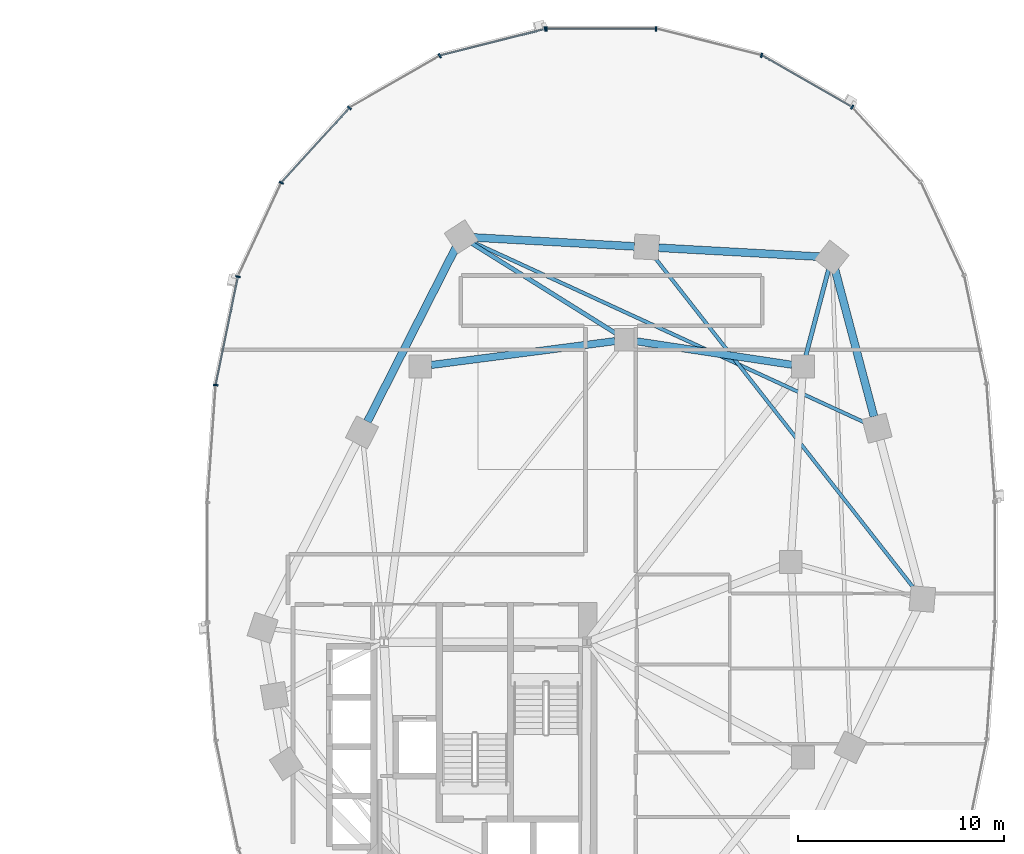
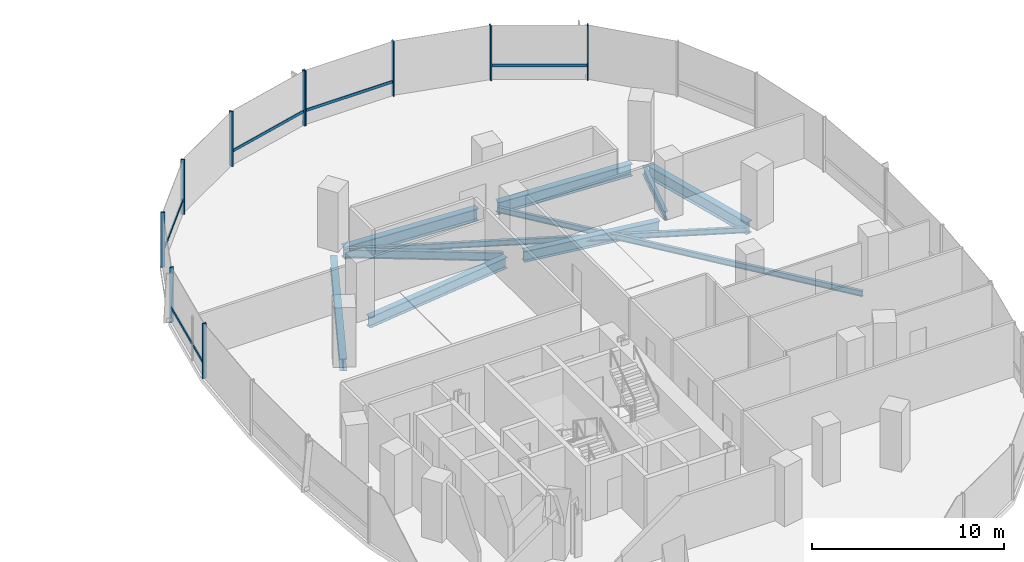
# One storey, part 7 of 21: 15 members, 10 beams, 2 elements without a shape of their own.
"""IFC4 building model written with IfcOpenShell, lengths in metres."""

from ifc_helpers import new_model, si_unit, direction, frame, origin, origin_2d, place, context, subcontext, project, spatial, rectangle, i_section, extrude, material, material_profile, profile_set, type_object, element, aggregate, save


model = new_model("IFC4")

# Units and contexts
model_context = context("Model", 3, precision=1e-05, world=origin(), true_north=direction((0.0, 1.0)))
body_context = subcontext(model_context, "Body", "Model", "MODEL_VIEW")
ifc_project = project(units=[si_unit("LENGTHUNIT", "METRE"), si_unit("AREAUNIT", "SQUARE_METRE"), si_unit("VOLUMEUNIT", "CUBIC_METRE"), si_unit("PLANEANGLEUNIT", "RADIAN"), si_unit("MASSUNIT", "GRAM", prefix="KILO"), si_unit("THERMODYNAMICTEMPERATUREUNIT", "KELVIN"), si_unit("POWERUNIT", "WATT")], contexts=[model_context])

# Site, building, storey
site_placement = place(None, origin())
site = spatial("IfcSite", under=ifc_project, at=site_placement, CompositionType="ELEMENT")
building_placement = place(site_placement, origin())
building = spatial("IfcBuilding", under=site, at=building_placement, Name="Cundina Bronze Exchange", CompositionType="ELEMENT")
storey_placement = place(building_placement, frame((0.0, 0.0, 46.800048828125)))
storey = spatial("IfcBuildingStorey", under=building, at=storey_placement, Name="L11", CompositionType="ELEMENT", Elevation=46.800048828125)

# Beams
ifc_material_1 = material(Name="Steel ASTM A992 Grade 50", Category="steel")
ifc_material_profile_1 = material_profile(ifc_material_1, i_section(OverallWidth=0.2099609375, OverallDepth=0.532958984375, WebThickness=0.01025390625, FlangeThickness=0.015625, FilletRadius=0.013916015625, at=origin_2d()), Name="W21X62", Category="steel")
ifc_profile_set_1 = profile_set([ifc_material_profile_1], Name="Steel ASTM A992 Grade 50")
beam_type_1 = type_object("IfcBeamType", Name="BM-FLR-W21B", PredefinedType="BEAM", material=ifc_profile_set_1)
beam_1_placement = place(storey_placement, frame((41.9375, 10.020263671875, -0.566650390625), z_axis=(0.255373327887, 0.966842522546, 0.0), x_axis=(-0.966842522546, 0.255373327887, 0.0)))
element("IfcBeam", 1, at=beam_1_placement, inside=storey, type_object=beam_type_1, Name="L11 Leg E Chordal Floor Beam 10", PredefinedType="BEAM", context=body_context, shape_type="SweptSolid", body=[
    extrude(i_section(OverallWidth=0.2099609375, OverallDepth=0.532958984375, WebThickness=0.01025390625, FlangeThickness=0.015625, FilletRadius=0.013916015625, at=origin_2d()), origin(), (0.0, 0.0, 1.0), 4.355712890625),
])
beam_2_placement = place(storey_placement, frame((32.743896484375, 11.085205078125, -0.566650390625), z_axis=(-0.848014812458, 0.529972525563, 0.0), x_axis=(-0.529972525563, -0.848014812458, 0.0)))
element("IfcBeam", 2, at=beam_2_placement, inside=storey, type_object=beam_type_1, Name="L11 Leg E Chordal Floor Beam 12", PredefinedType="BEAM", context=body_context, shape_type="SweptSolid", body=[
    extrude(i_section(OverallWidth=0.2099609375, OverallDepth=0.532958984375, WebThickness=0.01025390625, FlangeThickness=0.015625, FilletRadius=0.013916015625, at=origin_2d()), origin(), (0.0, 0.0, 1.0), 8.30810546875),
])
ifc_material_profile_2 = material_profile(ifc_material_1, i_section(OverallWidth=0.172119140625, OverallDepth=0.35791015625, WebThickness=0.0078125, FlangeThickness=0.01318359375, FilletRadius=0.010009765625, at=origin_2d()), Name="W14X38", Category="steel")
ifc_profile_set_2 = profile_set([ifc_material_profile_2], Name="Steel ASTM A992 Grade 50")
beam_type_2 = type_object("IfcBeamType", Name="BM-JST-W14", PredefinedType="JOIST", material=ifc_profile_set_2)
beam_3_placement = place(storey_placement, frame((47.2373046875, -1.337158203125, -0.47900390625), z_axis=(-0.616803089524, 0.787117493614, 0.0), x_axis=(-0.787117493614, -0.616803089524, 0.0)))
element("IfcBeam", 3, at=beam_3_placement, inside=storey, type_object=beam_type_2, Name="L11 Leg E Lobe Floor Joist 08-11", PredefinedType="JOIST", context=body_context, shape_type="SweptSolid", body=[
    extrude(i_section(OverallWidth=0.172119140625, OverallDepth=0.35791015625, WebThickness=0.0078125, FlangeThickness=0.01318359375, FilletRadius=0.010009765625, at=origin_2d()), origin(), (0.0, 0.0, 1.0), 20.548828125),
])
beam_4_placement = place(storey_placement, frame((44.865966796875, 6.745849609375, -0.47900390625), z_axis=(-0.908351511887, 0.418207521277, 0.0), x_axis=(-0.418207521277, -0.908351511887, 0.0)))
element("IfcBeam", 4, at=beam_4_placement, inside=storey, type_object=beam_type_2, Name="L11 Leg E Lobe Floor Joist 09-12", PredefinedType="JOIST", context=body_context, shape_type="SweptSolid", body=[
    extrude(i_section(OverallWidth=0.172119140625, OverallDepth=0.35791015625, WebThickness=0.0078125, FlangeThickness=0.01318359375, FilletRadius=0.010009765625, at=origin_2d()), origin(), (0.0, 0.0, 1.0), 21.062255859375),
])
ifc_material_profile_3 = material_profile(ifc_material_1, i_section(OverallWidth=0.35498046875, OverallDepth=0.695068359375, WebThickness=0.015380859375, FlangeThickness=0.02490234375, FilletRadius=0.01806640625, at=origin_2d()), Name="W27X146", Category="steel")
ifc_profile_set_3 = profile_set([ifc_material_profile_3], Name="Steel ASTM A992 Grade 50")
beam_type_3 = type_object("IfcBeamType", Name="BM-RING-W27", PredefinedType="USERDEFINED", material=ifc_profile_set_3)
beam_5_placement = place(storey_placement, frame((41.26806640625, 9.580322265625, -0.6474609375), z_axis=(-0.988767489563, 0.149461873341, 0.0), x_axis=(-0.149461873341, -0.988767489563, 0.0)))
element("IfcBeam", 5, at=beam_5_placement, inside=storey, type_object=beam_type_3, Name="L11 E Inner Structural Ring Girder 05", ObjectType="GIRDER", PredefinedType="USERDEFINED", context=body_context, shape_type="SweptSolid", body=[
    extrude(i_section(OverallWidth=0.35498046875, OverallDepth=0.695068359375, WebThickness=0.015380859375, FlangeThickness=0.02490234375, FilletRadius=0.01806640625, at=origin_2d()), origin(), (0.0, 0.0, 1.0), 7.621826171875),
])
beam_6_placement = place(storey_placement, frame((32.66650390625, 10.730712890625, -0.6474609375), z_axis=(-0.991654577907, -0.128923225666, 0.0), x_axis=(0.128923225666, -0.991654577907, 0.0)))
element("IfcBeam", 6, at=beam_6_placement, inside=storey, type_object=beam_type_3, Name="L11 E Inner Structural Ring Girder 06", ObjectType="GIRDER", PredefinedType="USERDEFINED", context=body_context, shape_type="SweptSolid", body=[
    extrude(i_section(OverallWidth=0.35498046875, OverallDepth=0.695068359375, WebThickness=0.015380859375, FlangeThickness=0.02490234375, FilletRadius=0.01806640625, at=origin_2d()), origin(), (0.0, 0.0, 1.0), 9.00830078125),
])
ifc_material_profile_4 = material_profile(ifc_material_1, i_section(OverallWidth=0.381103515625, OverallDepth=0.77294921875, WebThickness=0.0166015625, FlangeThickness=0.027099609375, FilletRadius=0.01904296875, at=origin_2d()), Name="W30X173", Category="steel")
ifc_profile_set_4 = profile_set([ifc_material_profile_4], Name="Steel ASTM A992 Grade 50")
beam_type_4 = type_object("IfcBeamType", Name="BM-RING-W30", PredefinedType="USERDEFINED", material=ifc_profile_set_4)
beam_7_placement = place(storey_placement, frame((45.249267578125, 7.068359375, -0.6865234375), z_axis=(-0.256208567826, 0.966621523541, 0.0), x_axis=(-0.966621523541, -0.256208567826, 0.0)))
element("IfcBeam", 7, at=beam_7_placement, inside=storey, type_object=beam_type_4, Name="L11 E Perimeter Ring Girder 09", ObjectType="GIRDER", PredefinedType="USERDEFINED", context=body_context, shape_type="SweptSolid", body=[
    extrude(i_section(OverallWidth=0.381103515625, OverallDepth=0.77294921875, WebThickness=0.0166015625, FlangeThickness=0.027099609375, FilletRadius=0.01904296875, at=origin_2d()), origin(), (0.0, 0.0, 1.0), 7.41064453125),
])
for number, where, z_axis, x_axis, name in (
    (8, (42.61279296875, 14.83251953125, -0.6865234375), (-0.998459969805, 0.055476920391, 0.0), (-0.055476920391, -0.998459969805, 0.0), "L11 E Perimeter Ring Girder 10"),
    (9, (33.61279296875, 15.33251953125, -0.6865234375), (-0.998459969805, 0.055476920391, 0.0), (-0.055476920391, -0.998459969805, 0.0), "L11 E Perimeter Ring Girder 11"),
):
    element("IfcBeam", number, at=place(storey_placement, frame(where, z_axis=z_axis, x_axis=x_axis)), inside=storey, type_object=beam_type_4, Name=name, ObjectType="GIRDER", PredefinedType="USERDEFINED", context=body_context, shape_type="SweptSolid", body=[
        extrude(i_section(OverallWidth=0.381103515625, OverallDepth=0.77294921875, WebThickness=0.0166015625, FlangeThickness=0.027099609375, FilletRadius=0.01904296875, at=origin_2d()), origin(), (0.0, 0.0, 1.0), 7.837646484375),
    ])
beam_8_placement = place(storey_placement, frame((24.93359375, 15.275634765625, -0.6865234375), z_axis=(-0.452819633606, -0.891602141889, 0.0), x_axis=(0.891602141889, -0.452819633606, 0.0)))
element("IfcBeam", 10, at=beam_8_placement, inside=storey, type_object=beam_type_4, Name="L11 E Perimeter Ring Girder 12", ObjectType="GIRDER", PredefinedType="USERDEFINED", context=body_context, shape_type="SweptSolid", body=[
    extrude(i_section(OverallWidth=0.381103515625, OverallDepth=0.77294921875, WebThickness=0.0166015625, FlangeThickness=0.027099609375, FilletRadius=0.01904296875, at=origin_2d()), origin(), (0.0, 0.0, 1.0), 9.47900390625),
])

# Curtain wall, members
ifc_material_2 = material(Name="Anodised Bronze Aluminium 6063-T6", Category="aluminium")
curtain_wall_type = type_object("IfcCurtainWallType", Name="CWS-TRD-LOW", PredefinedType="NOTDEFINED", material=ifc_material_2)
curtain_wall_1_placement = place(storey_placement, origin())
curtain_wall_1 = element("IfcCurtainWall", 11, at=curtain_wall_1_placement, inside=storey, type_object=curtain_wall_type, Name="L11 CW-02 Curtain Wall Run CWR-L11-E1", PredefinedType="NOTDEFINED")
ifc_material_profile_5 = material_profile(ifc_material_2, rectangle(XDim=0.074951171875, YDim=0.219970703125, at=origin_2d()), Name="AL75X220", Category="aluminium")
ifc_profile_set_5 = profile_set([ifc_material_profile_5], Name="Anodised Bronze Aluminium 6063-T6")
member_type_1 = type_object("IfcMemberType", Name="CWM-MUL-220", PredefinedType="MULLION", material=ifc_profile_set_5)
member_1_placement = place(storey_placement, frame((44.189697265625, 22.097412109375, 0.0), z_axis=(0.0, 0.0, 1.0), x_axis=(-0.867070701164, 0.498185105339, 0.0)))
member_1 = element("IfcMember", 12, at=member_1_placement, type_object=member_type_1, Name="CW-02 Mullion 5", PredefinedType="MULLION", context=body_context, shape_type="SweptSolid", body=[
    extrude(rectangle(XDim=0.074951171875, YDim=0.219970703125, at=origin_2d()), origin(), (0.0, 0.0, 1.0), 3.5),
])
member_2_placement = place(storey_placement, frame((39.78515625, 24.61669921875, 0.0), z_axis=(0.0, 0.0, 1.0), x_axis=(-0.969488149345, 0.245138182011, 0.0)))
member_2 = element("IfcMember", 13, at=member_2_placement, type_object=member_type_1, Name="CW-02 Mullion 6", PredefinedType="MULLION", context=body_context, shape_type="SweptSolid", body=[
    extrude(rectangle(XDim=0.074951171875, YDim=0.219970703125, at=origin_2d()), origin(), (0.0, 0.0, 1.0), 3.5),
])
member_3_placement = place(storey_placement, frame((34.654541015625, 25.905029296875, 0.0), z_axis=(0.0, 0.0, 1.0), x_axis=(-1.0, 0.0, 0.0)))
member_3 = element("IfcMember", 14, at=member_3_placement, type_object=member_type_1, Name="CW-02 Mullion 7", PredefinedType="MULLION", context=body_context, shape_type="SweptSolid", body=[
    extrude(rectangle(XDim=0.074951171875, YDim=0.219970703125, at=origin_2d()), origin(), (0.0, 0.0, 1.0), 3.5),
])
member_4_placement = place(storey_placement, frame((29.345458984375, 25.905029296875, 0.0), z_axis=(0.0, 0.0, 1.0), x_axis=(-1.0, 0.0, 0.0)))
member_4 = element("IfcMember", 15, at=member_4_placement, type_object=member_type_1, Name="CW-02 End Mullion", PredefinedType="MULLION", context=body_context, shape_type="SweptSolid", body=[
    extrude(rectangle(XDim=0.074951171875, YDim=0.219970703125, at=origin_2d()), origin(), (0.0, 0.0, 1.0), 3.5),
])

curtain_wall_2_placement = place(storey_placement, origin())
curtain_wall_2 = element("IfcCurtainWall", 16, at=curtain_wall_2_placement, inside=storey, type_object=curtain_wall_type, Name="L11 CW-02 Curtain Wall Run CWR-L11-E2", PredefinedType="NOTDEFINED")
member_5_placement = place(storey_placement, frame((29.27392578125, 25.89599609375, 0.0), z_axis=(0.0, 0.0, 1.0), x_axis=(-0.969488149345, -0.245138182011, 0.0)))
member_5 = element("IfcMember", 17, at=member_5_placement, type_object=member_type_1, Name="CW-02 Mullion 1", PredefinedType="MULLION", context=body_context, shape_type="SweptSolid", body=[
    extrude(rectangle(XDim=0.074951171875, YDim=0.219970703125, at=origin_2d()), origin(), (0.0, 0.0, 1.0), 3.5),
])
member_6_placement = place(storey_placement, frame((24.151123046875, 24.591064453125, 0.0), z_axis=(0.0, 0.0, 1.0), x_axis=(-0.867070701164, -0.498185105339, 0.0)))
member_6 = element("IfcMember", 18, at=member_6_placement, type_object=member_type_1, Name="CW-02 Mullion 2", PredefinedType="MULLION", context=body_context, shape_type="SweptSolid", body=[
    extrude(rectangle(XDim=0.074951171875, YDim=0.219970703125, at=origin_2d()), origin(), (0.0, 0.0, 1.0), 3.5),
])
member_7_placement = place(storey_placement, frame((19.760498046875, 22.0576171875, 0.0), z_axis=(0.0, 0.0, 1.0), x_axis=(-0.674302387584, -0.738455340626, 0.0)))
member_7 = element("IfcMember", 19, at=member_7_placement, type_object=member_type_1, Name="CW-02 Mullion 3", PredefinedType="MULLION", context=body_context, shape_type="SweptSolid", body=[
    extrude(rectangle(XDim=0.074951171875, YDim=0.219970703125, at=origin_2d()), origin(), (0.0, 0.0, 1.0), 3.5),
])
member_8_placement = place(storey_placement, frame((16.455810546875, 18.423583984375, 0.0), z_axis=(0.0, 0.0, 1.0), x_axis=(-0.42087749791, -0.907117485088, 0.0)))
member_8 = element("IfcMember", 20, at=member_8_placement, type_object=member_type_1, Name="CW-02 Mullion 4", PredefinedType="MULLION", context=body_context, shape_type="SweptSolid", body=[
    extrude(rectangle(XDim=0.074951171875, YDim=0.219970703125, at=origin_2d()), origin(), (0.0, 0.0, 1.0), 3.5),
])
member_9_placement = place(storey_placement, frame((14.348876953125, 13.861328125, 0.0), z_axis=(0.0, 0.0, 1.0), x_axis=(-0.201419845156, -0.979505000486, 0.0)))
member_9 = element("IfcMember", 21, at=member_9_placement, type_object=member_type_1, Name="CW-02 Mullion 5", PredefinedType="MULLION", context=body_context, shape_type="SweptSolid", body=[
    extrude(rectangle(XDim=0.074951171875, YDim=0.219970703125, at=origin_2d()), origin(), (0.0, 0.0, 1.0), 3.5),
])
member_10_placement = place(storey_placement, frame((13.27099609375, 8.591552734375, 0.0), z_axis=(0.0, 0.0, 1.0), x_axis=(-0.070278787473, -0.997527389113, 0.0)))
member_10 = element("IfcMember", 22, at=member_10_placement, type_object=member_type_1, Name="CW-02 Mullion 6", PredefinedType="MULLION", context=body_context, shape_type="SweptSolid", body=[
    extrude(rectangle(XDim=0.074951171875, YDim=0.219970703125, at=origin_2d()), origin(), (0.0, 0.0, 1.0), 3.5),
])

# Member
ifc_material_profile_6 = material_profile(ifc_material_2, rectangle(XDim=0.070068359375, YDim=0.179931640625, at=origin_2d()), Name="AL70X180", Category="aluminium")
ifc_profile_set_6 = profile_set([ifc_material_profile_6], Name="Anodised Bronze Aluminium 6063-T6")
member_type_2 = type_object("IfcMemberType", Name="CWM-TRN-180", PredefinedType="USERDEFINED", material=ifc_profile_set_6)
member_11_placement = place(storey_placement, frame((44.154052734375, 22.117919921875, 0.919921875), z_axis=(-0.867097475651, 0.498138502546, 0.0), x_axis=(-0.498138502546, -0.867097475651, 0.0)))
member_11 = element("IfcMember", 23, at=member_11_placement, type_object=member_type_2, Name="CW-02 Spandrel Transom 5", ObjectType="TRANSOM", PredefinedType="USERDEFINED", context=body_context, shape_type="SweptSolid", body=[
    extrude(rectangle(XDim=0.070068359375, YDim=0.179931640625, at=origin_2d()), origin(), (0.0, 0.0, 1.0), 5.00634765625),
])

member_12_placement = place(storey_placement, frame((34.61328125, 25.905029296875, 0.919921875), z_axis=(-1.0, 0.0, 0.0), x_axis=(0.0, -1.0, 0.0)))
member_12 = element("IfcMember", 24, at=member_12_placement, type_object=member_type_2, Name="CW-02 Spandrel Transom 7", ObjectType="TRANSOM", PredefinedType="USERDEFINED", context=body_context, shape_type="SweptSolid", body=[
    extrude(rectangle(XDim=0.070068359375, YDim=0.179931640625, at=origin_2d()), origin(), (0.0, 0.0, 1.0), 5.2265625),
])

aggregate(curtain_wall_1, [member_1, member_11, member_2, member_3, member_4, member_12])

member_13_placement = place(storey_placement, frame((29.23388671875, 25.885986328125, 0.919921875), z_axis=(-0.969483968866, -0.245154714644, 0.0), x_axis=(0.245154714644, -0.969483968866, 0.0)))
member_13 = element("IfcMember", 25, at=member_13_placement, type_object=member_type_2, Name="CW-02 Spandrel Transom 1", ObjectType="TRANSOM", PredefinedType="USERDEFINED", context=body_context, shape_type="SweptSolid", body=[
    extrude(rectangle(XDim=0.070068359375, YDim=0.179931640625, at=origin_2d()), origin(), (0.0, 0.0, 1.0), 5.21826171875),
])

member_14_placement = place(storey_placement, frame((19.73291015625, 22.027099609375, 0.919921875), z_axis=(-0.674302794847, -0.738454968743, 0.0), x_axis=(0.738454968743, -0.674302794847, 0.0)))
member_14 = element("IfcMember", 26, at=member_14_placement, type_object=member_type_2, Name="CW-02 Spandrel Transom 3", ObjectType="TRANSOM", PredefinedType="USERDEFINED", context=body_context, shape_type="SweptSolid", body=[
    extrude(rectangle(XDim=0.070068359375, YDim=0.179931640625, at=origin_2d()), origin(), (0.0, 0.0, 1.0), 4.848388671875),
])

member_15_placement = place(storey_placement, frame((14.340576171875, 13.821044921875, 0.919921875), z_axis=(-0.201427712708, -0.979503382615, 0.0), x_axis=(0.979503382615, -0.201427712708, 0.0)))
member_15 = element("IfcMember", 27, at=member_15_placement, type_object=member_type_2, Name="CW-02 Spandrel Transom 5", ObjectType="TRANSOM", PredefinedType="USERDEFINED", context=body_context, shape_type="SweptSolid", body=[
    extrude(rectangle(XDim=0.070068359375, YDim=0.179931640625, at=origin_2d()), origin(), (0.0, 0.0, 1.0), 5.291748046875),
])

aggregate(curtain_wall_2, [member_5, member_13, member_6, member_7, member_14, member_8, member_9, member_15, member_10])

save(model, "model.ifc")
